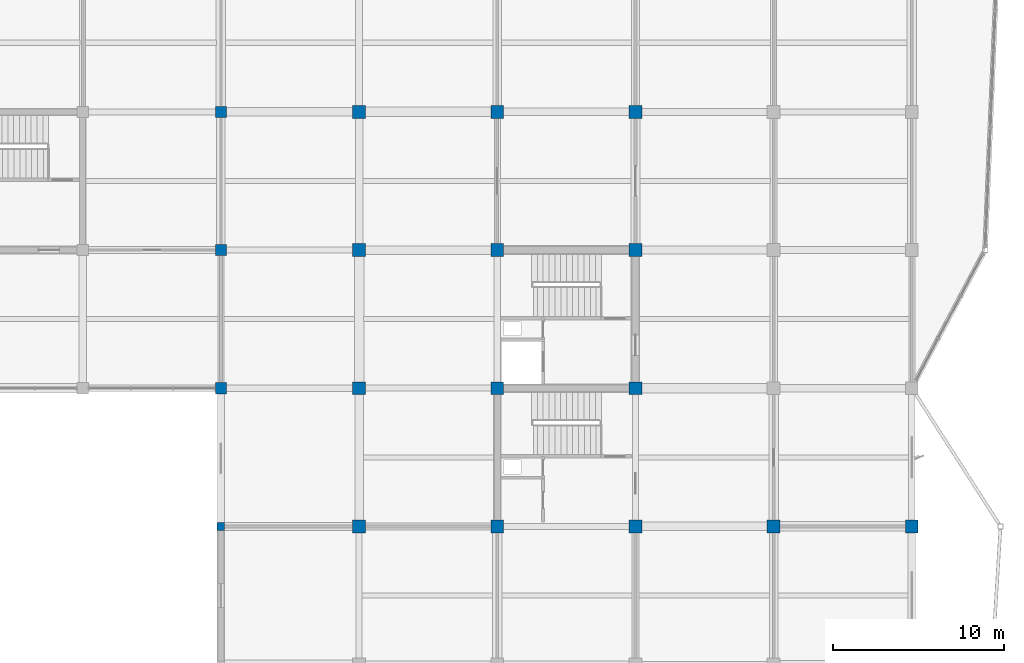
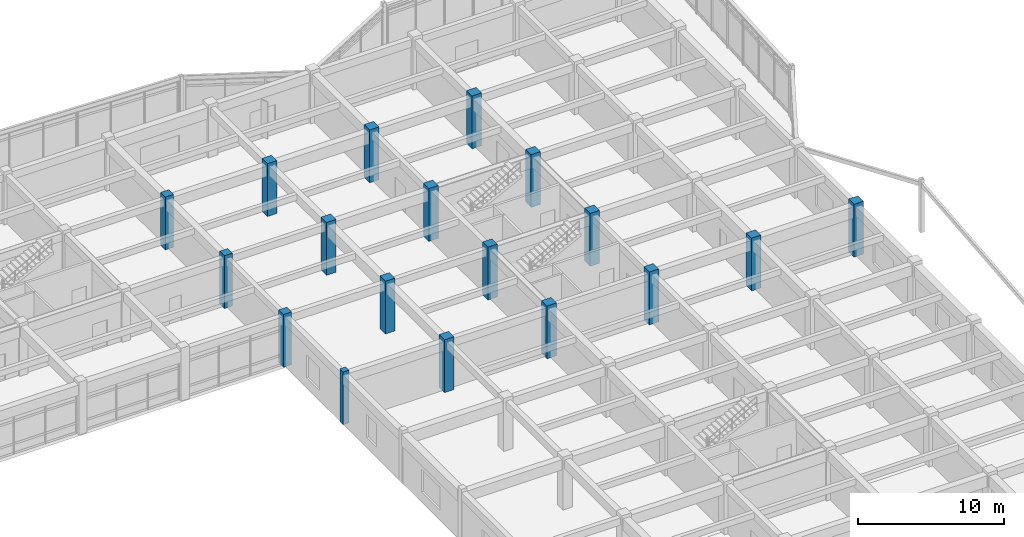
# One storey, part 15 of 89: 18 columns.
"""IFC4 building model written with IfcOpenShell, lengths in metres."""

from ifc_helpers import new_model, si_unit, direction, frame, origin, origin_2d, place, context, subcontext, project, spatial, rectangle, extrude, material, material_profile, profile_set, type_object, element, save


model = new_model("IFC4")

# Units and contexts
model_context = context("Model", 3, precision=1e-05, world=origin(), true_north=direction((0.0, 1.0)))
body_context = subcontext(model_context, "Body", "Model", "MODEL_VIEW")
ifc_project = project(units=[si_unit("LENGTHUNIT", "METRE"), si_unit("AREAUNIT", "SQUARE_METRE"), si_unit("VOLUMEUNIT", "CUBIC_METRE"), si_unit("PLANEANGLEUNIT", "RADIAN"), si_unit("MASSUNIT", "GRAM", prefix="KILO")], contexts=[model_context])

# Site, building, storey
site_placement = place(None, origin())
site = spatial("IfcSite", under=ifc_project, at=site_placement, CompositionType="ELEMENT")
building_placement = place(site_placement, origin())
building = spatial("IfcBuilding", under=site, at=building_placement, Name="Vaudrelin Polytechnic", CompositionType="ELEMENT")
storey_placement = place(building_placement, frame((0.0, 0.0, 9.68994140625)))
storey = spatial("IfcBuildingStorey", under=building, at=storey_placement, Name="L02", CompositionType="ELEMENT", Elevation=9.68994140625)

# Columns
ifc_material_1 = material(Name="Concrete 40 MPa", Category="concrete")
ifc_material_profile_1 = material_profile(ifc_material_1, rectangle(XDim=0.449951171875, YDim=0.449951171875, at=origin_2d()), Name="RC450x450")
ifc_profile_set_1 = profile_set([ifc_material_profile_1], Name="Concrete 40 MPa")
column_type_1 = type_object("IfcColumnType", Name="COL-C-RC450", PredefinedType="COLUMN", material=ifc_profile_set_1)
column_placement = place(storey_placement, frame((129.60009765625, 89.10009765625, 0.0), z_axis=(0.0, 0.0, 1.0), x_axis=(1.0, 0.0, 0.0)))
element("IfcColumn", 1, at=column_placement, inside=storey, type_object=column_type_1, Name="Column L02 17-12", PredefinedType="COLUMN", context=body_context, shape_type="SweptSolid", body=[
    extrude(rectangle(XDim=0.449951171875, YDim=0.449951171875, at=origin_2d()), origin(), (0.0, 0.0, 1.0), 4.420166015625),
])
ifc_material_profile_2 = material_profile(ifc_material_1, rectangle(XDim=0.64990234375, YDim=0.64990234375, at=origin_2d()), Name="RC650x650")
ifc_profile_set_2 = profile_set([ifc_material_profile_2], Name="Concrete 40 MPa")
column_type_2 = type_object("IfcColumnType", Name="COL-C-RC650", PredefinedType="COLUMN", material=ifc_profile_set_2)
for number, where, z_axis, x_axis, name in (
    (2, (129.60009765625, 97.199951171875, 0.0), (0.0, 0.0, 1.0), (1.0, 0.0, 0.0), "Column L02 17-13"),
    (3, (129.60009765625, 105.300048828125, 0.0), (0.0, 0.0, 1.0), (1.0, 0.0, 0.0), "Column L02 17-14"),
    (4, (129.60009765625, 113.39990234375, 0.0), (0.0, 0.0, 1.0), (1.0, 0.0, 0.0), "Column L02 17-15"),
):
    element("IfcColumn", number, at=place(storey_placement, frame(where, z_axis=z_axis, x_axis=x_axis)), inside=storey, type_object=column_type_2, Name=name, PredefinedType="COLUMN", context=body_context, shape_type="SweptSolid", body=[
        extrude(rectangle(XDim=0.64990234375, YDim=0.64990234375, at=origin_2d()), origin(), (0.0, 0.0, 1.0), 4.420166015625),
    ])
ifc_material_2 = material(Name="Concrete 50 MPa", Category="concrete")
ifc_material_profile_3 = material_profile(ifc_material_2, rectangle(XDim=0.75, YDim=0.75, at=origin_2d()), Name="RC750x750")
ifc_profile_set_3 = profile_set([ifc_material_profile_3], Name="Concrete 50 MPa")
column_type_3 = type_object("IfcColumnType", Name="COL-C-RC750", PredefinedType="COLUMN", material=ifc_profile_set_3)
for number, where, z_axis, x_axis, name in (
    (5, (137.699951171875, 89.10009765625, 0.0), (0.0, 0.0, 1.0), (1.0, 0.0, 0.0), "Column L02 18-12"),
    (6, (137.699951171875, 97.199951171875, 0.0), (0.0, 0.0, 1.0), (1.0, 0.0, 0.0), "Column L02 18-13"),
    (7, (137.699951171875, 105.300048828125, 0.0), (0.0, 0.0, 1.0), (1.0, 0.0, 0.0), "Column L02 18-14"),
    (8, (137.699951171875, 113.39990234375, 0.0), (0.0, 0.0, 1.0), (1.0, 0.0, 0.0), "Column L02 18-15"),
    (9, (145.800048828125, 89.10009765625, 0.0), (0.0, 0.0, 1.0), (1.0, 0.0, 0.0), "Column L02 19-12"),
    (10, (145.800048828125, 97.199951171875, 0.0), (0.0, 0.0, 1.0), (1.0, 0.0, 0.0), "Column L02 19-13"),
    (11, (145.800048828125, 105.300048828125, 0.0), (0.0, 0.0, 1.0), (1.0, 0.0, 0.0), "Column L02 19-14"),
    (12, (145.800048828125, 113.39990234375, 0.0), (0.0, 0.0, 1.0), (1.0, 0.0, 0.0), "Column L02 19-15"),
    (13, (153.89990234375, 89.10009765625, 0.0), (0.0, 0.0, 1.0), (1.0, 0.0, 0.0), "Column L02 20-12"),
    (14, (153.89990234375, 97.199951171875, 0.0), (0.0, 0.0, 1.0), (1.0, 0.0, 0.0), "Column L02 20-13"),
    (15, (153.89990234375, 105.300048828125, 0.0), (0.0, 0.0, 1.0), (1.0, 0.0, 0.0), "Column L02 20-14"),
    (16, (153.89990234375, 113.39990234375, 0.0), (0.0, 0.0, 1.0), (1.0, 0.0, 0.0), "Column L02 20-15"),
    (17, (162.0, 89.10009765625, 0.0), (0.0, 0.0, 1.0), (1.0, 0.0, 0.0), "Column L02 21-12"),
    (18, (170.10009765625, 89.10009765625, 0.0), (0.0, 0.0, 1.0), (1.0, 0.0, 0.0), "Column L02 22-12"),
):
    element("IfcColumn", number, at=place(storey_placement, frame(where, z_axis=z_axis, x_axis=x_axis)), inside=storey, type_object=column_type_3, Name=name, PredefinedType="COLUMN", context=body_context, shape_type="SweptSolid", body=[
        extrude(rectangle(XDim=0.75, YDim=0.75, at=origin_2d()), origin(), (0.0, 0.0, 1.0), 4.420166015625),
    ])

save(model, "model.ifc")
